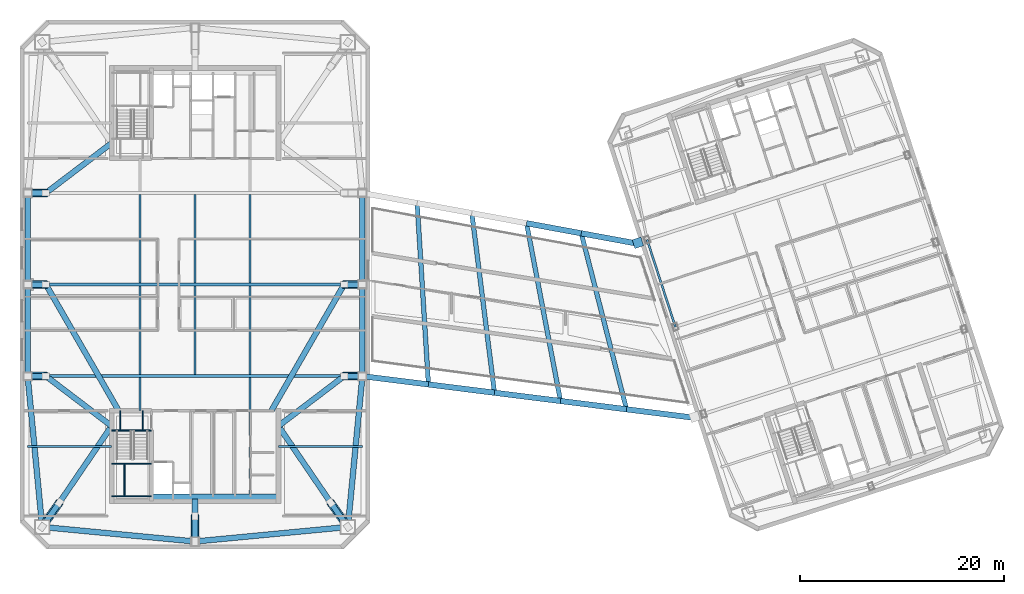
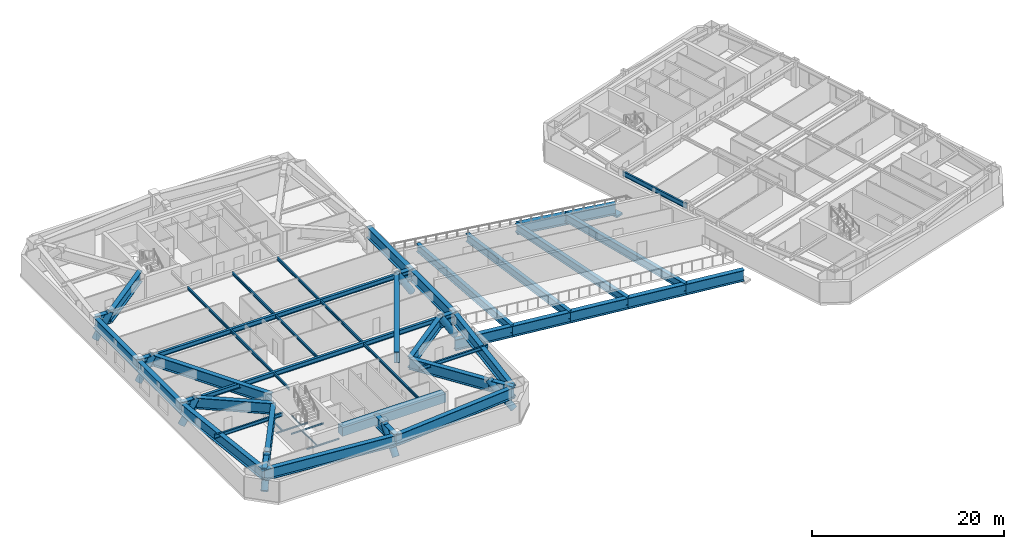
# One storey, part 3 of 18: 55 beams, 9 members.
"""IFC4 building model written with IfcOpenShell, lengths in metres."""

from ifc_helpers import new_model, si_unit, direction, frame, origin, origin_2d, place, context, subcontext, project, spatial, rectangle, hollow_circle, i_section, extrude, material, material_profile, profile_set, type_object, element, save


model = new_model("IFC4")

# Units and contexts
model_context = context("Model", 3, precision=1e-05, world=origin(), true_north=direction((0.0, 1.0)))
body_context = subcontext(model_context, "Body", "Model", "MODEL_VIEW")
ifc_project = project(units=[si_unit("LENGTHUNIT", "METRE"), si_unit("AREAUNIT", "SQUARE_METRE"), si_unit("VOLUMEUNIT", "CUBIC_METRE"), si_unit("PLANEANGLEUNIT", "RADIAN"), si_unit("MASSUNIT", "GRAM", prefix="KILO")], contexts=[model_context])

# Site, building, storey
site_placement = place(None, origin())
site = spatial("IfcSite", under=ifc_project, at=site_placement, CompositionType="ELEMENT")
building_placement = place(site_placement, origin())
building = spatial("IfcBuilding", under=site, at=building_placement, Name="Qiaolan Cultural Towers", CompositionType="ELEMENT")
storey_placement = place(building_placement, frame((0.0, 0.0, 219.64990234375)))
storey = spatial("IfcBuildingStorey", under=building, at=storey_placement, Name="L59", CompositionType="ELEMENT", Elevation=219.64990234375)

# Beams
ifc_material_1 = material(Name="Steel Q390GJB", Category="steel")
ifc_material_profile_1 = material_profile(ifc_material_1, i_section(OverallWidth=0.449951171875, OverallDepth=1.0, WebThickness=0.02392578125, FlangeThickness=0.0400390625, at=origin_2d()), Name="BH1000x450x24x40")
ifc_profile_set_1 = profile_set([ifc_material_profile_1], Name="Steel Q390GJB")
beam_type_1 = type_object("IfcBeamType", Name="BM-BH1000x450x24x40", PredefinedType="BEAM", material=ifc_profile_set_1)
beam_1_placement = place(storey_placement, frame((52.939208984375, 24.185791015625, -0.77978515625), z_axis=(-0.062298281945, 0.998057575527, 0.0), x_axis=(-0.998057575527, -0.062298281945, 0.0)))
element("IfcBeam", 1, at=beam_1_placement, inside=storey, type_object=beam_type_1, Name="L59 Sky Park Transverse Deck Girder 2", PredefinedType="BEAM", context=body_context, shape_type="SweptSolid", body=[
    extrude(i_section(OverallWidth=0.449951171875, OverallDepth=1.0, WebThickness=0.02392578125, FlangeThickness=0.0400390625, at=origin_2d()), origin(), (0.0, 0.0, 1.0), 17.8583984375),
])
beam_2_placement = place(storey_placement, frame((59.42822265625, 23.37158203125, -0.77978515625), z_axis=(-0.125082039773, 0.992146402164, 0.0), x_axis=(-0.992146402164, -0.125082039773, 0.0)))
element("IfcBeam", 2, at=beam_2_placement, inside=storey, type_object=beam_type_1, Name="L59 Sky Park Transverse Deck Girder 3", PredefinedType="BEAM", context=body_context, shape_type="SweptSolid", body=[
    extrude(i_section(OverallWidth=0.449951171875, OverallDepth=1.0, WebThickness=0.02392578125, FlangeThickness=0.0400390625, at=origin_2d()), origin(), (0.0, 0.0, 1.0), 17.787109375),
])
beam_3_placement = place(storey_placement, frame((65.91748046875, 22.557373046875, -0.77978515625), z_axis=(-0.187628005865, 0.982240159745, 0.0), x_axis=(-0.982240159745, -0.187628005865, 0.0)))
element("IfcBeam", 3, at=beam_3_placement, inside=storey, type_object=beam_type_1, Name="L59 Sky Park Transverse Deck Girder 4", PredefinedType="BEAM", context=body_context, shape_type="SweptSolid", body=[
    extrude(i_section(OverallWidth=0.449951171875, OverallDepth=1.0, WebThickness=0.02392578125, FlangeThickness=0.0400390625, at=origin_2d()), origin(), (0.0, 0.0, 1.0), 17.787353515625),
])
beam_4_placement = place(storey_placement, frame((72.406494140625, 21.7431640625, -0.77978515625), z_axis=(-0.249165970578, 0.968460798952, 0.0), x_axis=(-0.968460798952, -0.249165970578, 0.0)))
element("IfcBeam", 4, at=beam_4_placement, inside=storey, type_object=beam_type_1, Name="L59 Sky Park Transverse Deck Girder 5", PredefinedType="BEAM", context=body_context, shape_type="SweptSolid", body=[
    extrude(i_section(OverallWidth=0.449951171875, OverallDepth=1.0, WebThickness=0.02392578125, FlangeThickness=0.0400390625, at=origin_2d()), origin(), (0.0, 0.0, 1.0), 17.8583984375),
])
ifc_material_2 = material(Name="Steel Q420GJB", Category="steel")
ifc_material_profile_2 = material_profile(ifc_material_2, i_section(OverallWidth=0.550048828125, OverallDepth=1.39990234375, WebThickness=0.031982421875, FlangeThickness=0.050048828125, at=origin_2d()), Name="BH1400x550x32x50")
ifc_profile_set_2 = profile_set([ifc_material_profile_2], Name="Steel Q420GJB")
beam_type_2 = type_object("IfcBeamType", Name="BM-BH1400x550x32x50", PredefinedType="BEAM", material=ifc_profile_set_2)
beam_5_placement = place(storey_placement, frame((14.97998046875, 10.179931640625, 2.530029296875), z_axis=(0.577318275883, 0.816519202672, 0.0), x_axis=(-0.816519202672, 0.577318275883, 0.0)))
element("IfcBeam", 5, at=beam_5_placement, inside=storey, type_object=beam_type_2, Name="L59 T1 Setback Transfer Girder MC-SW-A", PredefinedType="BEAM", context=body_context, shape_type="SweptSolid", body=[
    extrude(i_section(OverallWidth=0.550048828125, OverallDepth=1.39990234375, WebThickness=0.031982421875, FlangeThickness=0.050048828125, at=origin_2d()), origin(), (0.0, 0.0, 1.0), 2.92724609375),
])
beam_6_placement = place(storey_placement, frame((16.669921875, 12.570068359375, 2.530029296875), z_axis=(0.563038304074, 0.826430800579, 0.0), x_axis=(-0.826430800579, 0.563038304074, 0.0)))
element("IfcBeam", 6, at=beam_6_placement, inside=storey, type_object=beam_type_2, Name="L59 T1 Setback Transfer Girder MC-SW-B", PredefinedType="BEAM", context=body_context, shape_type="SweptSolid", body=[
    extrude(i_section(OverallWidth=0.550048828125, OverallDepth=1.39990234375, WebThickness=0.031982421875, FlangeThickness=0.050048828125, at=origin_2d()), origin(), (0.0, 0.0, 1.0), 9.111572265625),
])
beam_7_placement = place(storey_placement, frame((45.02001953125, 10.179931640625, 2.530029296875), z_axis=(-0.577318275883, 0.816519202672, 0.0), x_axis=(-0.816519202672, -0.577318275883, 0.0)))
element("IfcBeam", 7, at=beam_7_placement, inside=storey, type_object=beam_type_2, Name="L59 T1 Setback Transfer Girder MC-SE-A", PredefinedType="BEAM", context=body_context, shape_type="SweptSolid", body=[
    extrude(i_section(OverallWidth=0.550048828125, OverallDepth=1.39990234375, WebThickness=0.031982421875, FlangeThickness=0.050048828125, at=origin_2d()), origin(), (0.0, 0.0, 1.0), 2.92724609375),
])
beam_8_placement = place(storey_placement, frame((43.330078125, 12.570068359375, 2.530029296875), z_axis=(-0.563038304074, 0.826430800579, 0.0), x_axis=(-0.826430800579, -0.563038304074, 0.0)))
element("IfcBeam", 8, at=beam_8_placement, inside=storey, type_object=beam_type_2, Name="L59 T1 Setback Transfer Girder MC-SE-B", PredefinedType="BEAM", context=body_context, shape_type="SweptSolid", body=[
    extrude(i_section(OverallWidth=0.550048828125, OverallDepth=1.39990234375, WebThickness=0.031982421875, FlangeThickness=0.050048828125, at=origin_2d()), origin(), (0.0, 0.0, 1.0), 9.111572265625),
])
beam_9_placement = place(storey_placement, frame((13.550048828125, 25.0, 2.530029296875), z_axis=(1.0, 0.0, 0.0), x_axis=(0.0, 1.0, 0.0)))
element("IfcBeam", 9, at=beam_9_placement, inside=storey, type_object=beam_type_2, Name="L59 T1 Setback Transfer Girder PC-W1-A", PredefinedType="BEAM", context=body_context, shape_type="SweptSolid", body=[
    extrude(i_section(OverallWidth=0.550048828125, OverallDepth=1.39990234375, WebThickness=0.031982421875, FlangeThickness=0.050048828125, at=origin_2d()), origin(), (0.0, 0.0, 1.0), 1.800048828125),
])
beam_10_placement = place(storey_placement, frame((15.35009765625, 25.0, 2.530029296875), z_axis=(0.796284727184, -0.604922005927, 0.0), x_axis=(0.604922005927, 0.796284727184, 0.0)))
element("IfcBeam", 10, at=beam_10_placement, inside=storey, type_object=beam_type_2, Name="L59 T1 Setback Transfer Girder PC-W1-B", PredefinedType="BEAM", context=body_context, shape_type="SweptSolid", body=[
    extrude(i_section(OverallWidth=0.550048828125, OverallDepth=1.39990234375, WebThickness=0.031982421875, FlangeThickness=0.050048828125, at=origin_2d()), origin(), (0.0, 0.0, 1.0), 8.10009765625),
])
beam_11_placement = place(storey_placement, frame((13.550048828125, 34.0, 2.530029296875), z_axis=(1.0, 0.0, 0.0), x_axis=(0.0, 1.0, 0.0)))
element("IfcBeam", 11, at=beam_11_placement, inside=storey, type_object=beam_type_2, Name="L59 T1 Setback Transfer Girder PC-W2-A", PredefinedType="BEAM", context=body_context, shape_type="SweptSolid", body=[
    extrude(i_section(OverallWidth=0.550048828125, OverallDepth=1.39990234375, WebThickness=0.031982421875, FlangeThickness=0.050048828125, at=origin_2d()), origin(), (0.0, 0.0, 1.0), 1.800048828125),
])
beam_12_placement = place(storey_placement, frame((15.35009765625, 34.0, 2.530029296875), z_axis=(0.499518669512, -0.866303121782, 0.0), x_axis=(0.866303121782, 0.499518669512, 0.0)))
element("IfcBeam", 12, at=beam_12_placement, inside=storey, type_object=beam_type_2, Name="L59 T1 Setback Transfer Girder PC-W2-B", PredefinedType="BEAM", context=body_context, shape_type="SweptSolid", body=[
    extrude(i_section(OverallWidth=0.550048828125, OverallDepth=1.39990234375, WebThickness=0.031982421875, FlangeThickness=0.050048828125, at=origin_2d()), origin(), (0.0, 0.0, 1.0), 14.3134765625),
])
beam_13_placement = place(storey_placement, frame((13.550048828125, 43.0, 2.530029296875), z_axis=(1.0, 0.0, 0.0), x_axis=(0.0, 1.0, 0.0)))
element("IfcBeam", 13, at=beam_13_placement, inside=storey, type_object=beam_type_2, Name="L59 T1 Setback Transfer Girder PC-W3-A", PredefinedType="BEAM", context=body_context, shape_type="SweptSolid", body=[
    extrude(i_section(OverallWidth=0.550048828125, OverallDepth=1.39990234375, WebThickness=0.031982421875, FlangeThickness=0.050048828125, at=origin_2d()), origin(), (0.0, 0.0, 1.0), 1.800048828125),
])
beam_14_placement = place(storey_placement, frame((15.35009765625, 43.0, 2.530029296875), z_axis=(0.796284727184, 0.604922005927, 0.0), x_axis=(-0.604922005927, 0.796284727184, 0.0)))
element("IfcBeam", 14, at=beam_14_placement, inside=storey, type_object=beam_type_2, Name="L59 T1 Setback Transfer Girder PC-W3-B", PredefinedType="BEAM", context=body_context, shape_type="SweptSolid", body=[
    extrude(i_section(OverallWidth=0.550048828125, OverallDepth=1.39990234375, WebThickness=0.031982421875, FlangeThickness=0.050048828125, at=origin_2d()), origin(), (0.0, 0.0, 1.0), 8.10009765625),
])
beam_15_placement = place(storey_placement, frame((46.449951171875, 25.0, 2.530029296875), z_axis=(-1.0, 0.0, 0.0), x_axis=(0.0, -1.0, 0.0)))
element("IfcBeam", 15, at=beam_15_placement, inside=storey, type_object=beam_type_2, Name="L59 T1 Setback Transfer Girder PC-E1-A", PredefinedType="BEAM", context=body_context, shape_type="SweptSolid", body=[
    extrude(i_section(OverallWidth=0.550048828125, OverallDepth=1.39990234375, WebThickness=0.031982421875, FlangeThickness=0.050048828125, at=origin_2d()), origin(), (0.0, 0.0, 1.0), 1.800048828125),
])
beam_16_placement = place(storey_placement, frame((44.64990234375, 25.0, 2.530029296875), z_axis=(-0.796284727184, -0.604922005927, 0.0), x_axis=(0.604922005927, -0.796284727184, 0.0)))
element("IfcBeam", 16, at=beam_16_placement, inside=storey, type_object=beam_type_2, Name="L59 T1 Setback Transfer Girder PC-E1-B", PredefinedType="BEAM", context=body_context, shape_type="SweptSolid", body=[
    extrude(i_section(OverallWidth=0.550048828125, OverallDepth=1.39990234375, WebThickness=0.031982421875, FlangeThickness=0.050048828125, at=origin_2d()), origin(), (0.0, 0.0, 1.0), 8.10009765625),
])
beam_17_placement = place(storey_placement, frame((46.449951171875, 34.0, 2.530029296875), z_axis=(-1.0, 0.0, 0.0), x_axis=(0.0, -1.0, 0.0)))
element("IfcBeam", 17, at=beam_17_placement, inside=storey, type_object=beam_type_2, Name="L59 T1 Setback Transfer Girder PC-E2-A", PredefinedType="BEAM", context=body_context, shape_type="SweptSolid", body=[
    extrude(i_section(OverallWidth=0.550048828125, OverallDepth=1.39990234375, WebThickness=0.031982421875, FlangeThickness=0.050048828125, at=origin_2d()), origin(), (0.0, 0.0, 1.0), 1.800048828125),
])
beam_18_placement = place(storey_placement, frame((44.64990234375, 34.0, 2.530029296875), z_axis=(-0.499518669512, -0.866303121782, 0.0), x_axis=(0.866303121782, -0.499518669512, 0.0)))
element("IfcBeam", 18, at=beam_18_placement, inside=storey, type_object=beam_type_2, Name="L59 T1 Setback Transfer Girder PC-E2-B", PredefinedType="BEAM", context=body_context, shape_type="SweptSolid", body=[
    extrude(i_section(OverallWidth=0.550048828125, OverallDepth=1.39990234375, WebThickness=0.031982421875, FlangeThickness=0.050048828125, at=origin_2d()), origin(), (0.0, 0.0, 1.0), 14.3134765625),
])
beam_19_placement = place(storey_placement, frame((30.0, 8.75, 2.530029296875), z_axis=(0.0, 1.0, 0.0), x_axis=(-1.0, 0.0, 0.0)))
element("IfcBeam", 19, at=beam_19_placement, inside=storey, type_object=beam_type_2, Name="L59 T1 Setback Transfer Girder PC-S0-A", PredefinedType="BEAM", context=body_context, shape_type="SweptSolid", body=[
    extrude(i_section(OverallWidth=0.550048828125, OverallDepth=1.39990234375, WebThickness=0.031982421875, FlangeThickness=0.050048828125, at=origin_2d()), origin(), (0.0, 0.0, 1.0), 2.5),
])
beam_20_placement = place(storey_placement, frame((30.0, 11.25, 2.530029296875), z_axis=(0.0, 1.0, 0.0), x_axis=(-1.0, 0.0, 0.0)))
element("IfcBeam", 20, at=beam_20_placement, inside=storey, type_object=beam_type_2, Name="L59 T1 Setback Transfer Girder PC-S0-B", PredefinedType="BEAM", context=body_context, shape_type="SweptSolid", body=[
    extrude(i_section(OverallWidth=0.550048828125, OverallDepth=1.39990234375, WebThickness=0.031982421875, FlangeThickness=0.050048828125, at=origin_2d()), origin(), (0.0, 0.0, 1.0), 1.699951171875),
])
for number, where, z_axis, x_axis, name in (
    (21, (14.97998046875, 10.179931640625, 2.489990234375), (0.995498889995, -0.094773203061, 0.0), (0.094773203061, 0.995498889995, 0.0), "L59 T1 Perimeter Spandrel Beam 1"),
    (22, (30.0, 8.75, 2.489990234375), (0.995498889995, 0.094773203061, 0.0), (-0.094773203061, 0.995498889995, 0.0), "L59 T1 Perimeter Spandrel Beam 2"),
):
    element("IfcBeam", number, at=place(storey_placement, frame(where, z_axis=z_axis, x_axis=x_axis)), inside=storey, type_object=beam_type_2, Name=name, PredefinedType="BEAM", context=body_context, shape_type="SweptSolid", body=[
        extrude(i_section(OverallWidth=0.550048828125, OverallDepth=1.39990234375, WebThickness=0.031982421875, FlangeThickness=0.050048828125, at=origin_2d()), origin(), (0.0, 0.0, 1.0), 15.087890625),
    ])
beam_21_placement = place(storey_placement, frame((45.02001953125, 10.179931640625, 2.489990234375), z_axis=(0.096040159186, 0.995377459974, 0.0), x_axis=(-0.995377459974, 0.096040159186, 0.0)))
element("IfcBeam", 23, at=beam_21_placement, inside=storey, type_object=beam_type_2, Name="L59 T1 Perimeter Spandrel Beam 3", PredefinedType="BEAM", context=body_context, shape_type="SweptSolid", body=[
    extrude(i_section(OverallWidth=0.550048828125, OverallDepth=1.39990234375, WebThickness=0.031982421875, FlangeThickness=0.050048828125, at=origin_2d()), origin(), (0.0, 0.0, 1.0), 14.888916015625),
])
for number, where, z_axis, x_axis, name in (
    (24, (46.449951171875, 25.0, 2.489990234375), (0.0, 1.0, 0.0), (-1.0, 0.0, 0.0), "L59 T1 Perimeter Spandrel Beam 4"),
    (25, (46.449951171875, 34.0, 2.489990234375), (0.0, 1.0, 0.0), (-1.0, 0.0, 0.0), "L59 T1 Perimeter Spandrel Beam 5"),
    (26, (13.550048828125, 43.0, 2.489990234375), (0.0, -1.0, 0.0), (1.0, 0.0, 0.0), "L59 T1 Perimeter Spandrel Beam 10"),
    (27, (13.550048828125, 34.0, 2.489990234375), (0.0, -1.0, 0.0), (1.0, 0.0, 0.0), "L59 T1 Perimeter Spandrel Beam 11"),
):
    element("IfcBeam", number, at=place(storey_placement, frame(where, z_axis=z_axis, x_axis=x_axis)), inside=storey, type_object=beam_type_2, Name=name, PredefinedType="BEAM", context=body_context, shape_type="SweptSolid", body=[
        extrude(i_section(OverallWidth=0.550048828125, OverallDepth=1.39990234375, WebThickness=0.031982421875, FlangeThickness=0.050048828125, at=origin_2d()), origin(), (0.0, 0.0, 1.0), 9.0),
    ])
beam_22_placement = place(storey_placement, frame((13.550048828125, 25.0, 2.489990234375), z_axis=(0.096040159186, -0.995377459974, 0.0), x_axis=(0.995377459974, 0.096040159186, 0.0)))
element("IfcBeam", 28, at=beam_22_placement, inside=storey, type_object=beam_type_2, Name="L59 T1 Perimeter Spandrel Beam 12", PredefinedType="BEAM", context=body_context, shape_type="SweptSolid", body=[
    extrude(i_section(OverallWidth=0.550048828125, OverallDepth=1.39990234375, WebThickness=0.031982421875, FlangeThickness=0.050048828125, at=origin_2d()), origin(), (0.0, 0.0, 1.0), 14.888916015625),
])
beam_23_placement = place(storey_placement, frame((46.449951171875, 25.0, -0.97998046875), z_axis=(0.99222034022, -0.124494162326, 0.0), x_axis=(0.124494162326, 0.99222034022, 0.0)))
element("IfcBeam", 29, at=beam_23_placement, inside=storey, type_object=beam_type_2, Name="Sky Park S Truss Top Chord 1", PredefinedType="BEAM", context=body_context, shape_type="SweptSolid", body=[
    extrude(i_section(OverallWidth=0.550048828125, OverallDepth=1.39990234375, WebThickness=0.031982421875, FlangeThickness=0.050048828125, at=origin_2d()), origin(), (0.0, 0.0, 1.0), 6.5400390625),
])
beam_24_placement = place(storey_placement, frame((52.939208984375, 24.185791015625, -0.97998046875), z_axis=(0.992219761624, -0.124498773657, 0.0), x_axis=(0.124498773657, 0.992219761624, 0.0)))
element("IfcBeam", 30, at=beam_24_placement, inside=storey, type_object=beam_type_2, Name="Sky Park S Truss Top Chord 2", PredefinedType="BEAM", context=body_context, shape_type="SweptSolid", body=[
    extrude(i_section(OverallWidth=0.550048828125, OverallDepth=1.39990234375, WebThickness=0.031982421875, FlangeThickness=0.050048828125, at=origin_2d()), origin(), (0.0, 0.0, 1.0), 6.539794921875),
])
beam_25_placement = place(storey_placement, frame((59.42822265625, 23.37158203125, -0.97998046875), z_axis=(0.99222034022, -0.124494162326, 0.0), x_axis=(0.124494162326, 0.99222034022, 0.0)))
element("IfcBeam", 31, at=beam_25_placement, inside=storey, type_object=beam_type_2, Name="Sky Park S Truss Top Chord 3", PredefinedType="BEAM", context=body_context, shape_type="SweptSolid", body=[
    extrude(i_section(OverallWidth=0.550048828125, OverallDepth=1.39990234375, WebThickness=0.031982421875, FlangeThickness=0.050048828125, at=origin_2d()), origin(), (0.0, 0.0, 1.0), 6.5400390625),
])
beam_26_placement = place(storey_placement, frame((65.91748046875, 22.557373046875, -0.97998046875), z_axis=(0.992219761624, -0.124498773657, 0.0), x_axis=(0.124498773657, 0.992219761624, 0.0)))
element("IfcBeam", 32, at=beam_26_placement, inside=storey, type_object=beam_type_2, Name="Sky Park S Truss Top Chord 4", PredefinedType="BEAM", context=body_context, shape_type="SweptSolid", body=[
    extrude(i_section(OverallWidth=0.550048828125, OverallDepth=1.39990234375, WebThickness=0.031982421875, FlangeThickness=0.050048828125, at=origin_2d()), origin(), (0.0, 0.0, 1.0), 6.539794921875),
])
beam_27_placement = place(storey_placement, frame((72.406494140625, 21.7431640625, -0.97998046875), z_axis=(0.99222034022, -0.124494162326, 0.0), x_axis=(0.124494162326, 0.99222034022, 0.0)))
element("IfcBeam", 33, at=beam_27_placement, inside=storey, type_object=beam_type_2, Name="Sky Park S Truss Top Chord 5", PredefinedType="BEAM", context=body_context, shape_type="SweptSolid", body=[
    extrude(i_section(OverallWidth=0.550048828125, OverallDepth=1.39990234375, WebThickness=0.031982421875, FlangeThickness=0.050048828125, at=origin_2d()), origin(), (0.0, 0.0, 1.0), 6.5400390625),
])
for number, where, z_axis, x_axis, name in (
    (34, (62.580078125, 40.02880859375, -0.97998046875), (0.983452141721, -0.181168112381, 0.0), (0.181168112381, 0.983452141721, 0.0), "Sky Park N Truss Top Chord 4"),
    (35, (67.956787109375, 39.038330078125, -0.97998046875), (0.983452141721, -0.181168112381, 0.0), (0.181168112381, 0.983452141721, 0.0), "Sky Park N Truss Top Chord 5"),
):
    element("IfcBeam", number, at=place(storey_placement, frame(where, z_axis=z_axis, x_axis=x_axis)), inside=storey, type_object=beam_type_2, Name=name, PredefinedType="BEAM", context=body_context, shape_type="SweptSolid", body=[
        extrude(i_section(OverallWidth=0.550048828125, OverallDepth=1.39990234375, WebThickness=0.031982421875, FlangeThickness=0.050048828125, at=origin_2d()), origin(), (0.0, 0.0, 1.0), 5.46728515625),
    ])
ifc_material_3 = material(Name="Steel Q355B", Category="steel")
ifc_material_profile_3 = material_profile(ifc_material_3, i_section(OverallWidth=0.300048828125, OverallDepth=0.587890625, WebThickness=0.011962890625, FlangeThickness=0.02001953125, at=origin_2d()), Name="HM588x300x12x20")
ifc_profile_set_3 = profile_set([ifc_material_profile_3], Name="Steel Q355B")
beam_type_3 = type_object("IfcBeamType", Name="BM-HM588x300x12x20", PredefinedType="BEAM", material=ifc_profile_set_3)
for number, where, z_axis, x_axis, name in (
    (36, (13.550048828125, 25.0, 2.89599609375), (1.0, 0.0, 0.0), (0.0, 1.0, 0.0), "L59 T1 Primary Transverse Girder V1"),
    (37, (13.550048828125, 34.0, 2.89599609375), (1.0, 0.0, 0.0), (0.0, 1.0, 0.0), "L59 T1 Primary Transverse Girder V2"),
):
    element("IfcBeam", number, at=place(storey_placement, frame(where, z_axis=z_axis, x_axis=x_axis)), inside=storey, type_object=beam_type_3, Name=name, PredefinedType="BEAM", context=body_context, shape_type="SweptSolid", body=[
        extrude(i_section(OverallWidth=0.300048828125, OverallDepth=0.587890625, WebThickness=0.011962890625, FlangeThickness=0.02001953125, at=origin_2d()), origin(), (0.0, 0.0, 1.0), 32.89990234375),
    ])
ifc_material_4 = material(Name="Steel Q355B", Category="steel")
ifc_material_profile_4 = material_profile(ifc_material_4, i_section(OverallWidth=0.175048828125, OverallDepth=0.35009765625, WebThickness=0.007080078125, FlangeThickness=0.010986328125, at=origin_2d()), Name="HN350x175x7x11")
ifc_profile_set_4 = profile_set([ifc_material_profile_4], Name="Steel Q355B")
beam_type_4 = type_object("IfcBeamType", Name="BM-JST-HN350x175x7x11", PredefinedType="JOIST", material=ifc_profile_set_4)
beam_28_placement = place(storey_placement, frame((24.60009765625, 21.60009765625, 3.01513671875), z_axis=(0.0, 1.0, 0.0), x_axis=(-1.0, 0.0, 0.0)))
element("IfcBeam", 38, at=beam_28_placement, inside=storey, type_object=beam_type_4, Name="L59 T1 Secondary Floor Joist U1-1", PredefinedType="JOIST", context=body_context, shape_type="SweptSolid", body=[
    extrude(i_section(OverallWidth=0.175048828125, OverallDepth=0.35009765625, WebThickness=0.007080078125, FlangeThickness=0.010986328125, at=origin_2d()), origin(), (0.0, 0.0, 1.0), 3.25),
])
for number, where, z_axis, x_axis, name in (
    (39, (24.60009765625, 25.14990234375, 3.01513671875), (0.0, 1.0, 0.0), (-1.0, 0.0, 0.0), "L59 T1 Secondary Floor Joist U1-2"),
    (40, (24.60009765625, 34.14990234375, 3.01513671875), (0.0, 1.0, 0.0), (-1.0, 0.0, 0.0), "L59 T1 Secondary Floor Joist U1-3"),
    (41, (30.0, 25.14990234375, 3.01513671875), (0.0, 1.0, 0.0), (-1.0, 0.0, 0.0), "L59 T1 Secondary Floor Joist U2-2"),
    (42, (30.0, 34.14990234375, 3.01513671875), (0.0, 1.0, 0.0), (-1.0, 0.0, 0.0), "L59 T1 Secondary Floor Joist U2-3"),
):
    element("IfcBeam", number, at=place(storey_placement, frame(where, z_axis=z_axis, x_axis=x_axis)), inside=storey, type_object=beam_type_4, Name=name, PredefinedType="JOIST", context=body_context, shape_type="SweptSolid", body=[
        extrude(i_section(OverallWidth=0.175048828125, OverallDepth=0.35009765625, WebThickness=0.007080078125, FlangeThickness=0.010986328125, at=origin_2d()), origin(), (0.0, 0.0, 1.0), 8.7001953125),
    ])
beam_29_placement = place(storey_placement, frame((35.39990234375, 13.39990234375, 3.01513671875), z_axis=(0.0, 1.0, 0.0), x_axis=(-1.0, 0.0, 0.0)))
element("IfcBeam", 43, at=beam_29_placement, inside=storey, type_object=beam_type_4, Name="L59 T1 Secondary Floor Joist U3-1", PredefinedType="JOIST", context=body_context, shape_type="SweptSolid", body=[
    extrude(i_section(OverallWidth=0.175048828125, OverallDepth=0.35009765625, WebThickness=0.007080078125, FlangeThickness=0.010986328125, at=origin_2d()), origin(), (0.0, 0.0, 1.0), 11.4501953125),
])
for number, where, z_axis, x_axis, name in (
    (44, (35.39990234375, 25.14990234375, 3.01513671875), (0.0, 1.0, 0.0), (-1.0, 0.0, 0.0), "L59 T1 Secondary Floor Joist U3-2"),
    (45, (35.39990234375, 34.14990234375, 3.01513671875), (0.0, 1.0, 0.0), (-1.0, 0.0, 0.0), "L59 T1 Secondary Floor Joist U3-3"),
):
    element("IfcBeam", number, at=place(storey_placement, frame(where, z_axis=z_axis, x_axis=x_axis)), inside=storey, type_object=beam_type_4, Name=name, PredefinedType="JOIST", context=body_context, shape_type="SweptSolid", body=[
        extrude(i_section(OverallWidth=0.175048828125, OverallDepth=0.35009765625, WebThickness=0.007080078125, FlangeThickness=0.010986328125, at=origin_2d()), origin(), (0.0, 0.0, 1.0), 8.7001953125),
    ])
ifc_material_5 = material(Name="Steel Q355B", Category="steel")
ifc_material_profile_5 = material_profile(ifc_material_5, i_section(OverallWidth=0.199951171875, OverallDepth=0.449951171875, WebThickness=0.009033203125, FlangeThickness=0.013916015625, at=origin_2d()), Name="HN450x200x9x14")
ifc_profile_set_5 = profile_set([ifc_material_profile_5], Name="Steel Q355B")
beam_type_5 = type_object("IfcBeamType", Name="BM-LNT-HN450x200x9x14", PredefinedType="LINTEL", material=ifc_profile_set_5)
for number, where, z_axis, x_axis, name in (
    (46, (21.800048828125, 18.10009765625, 2.965087890625), (-1.0, 0.0, 0.0), (0.0, -1.0, 0.0), "L59 T1 Core Flank Tie Lintel WS"),
    (47, (38.199951171875, 18.10009765625, 2.965087890625), (1.0, 0.0, 0.0), (0.0, 1.0, 0.0), "L59 T1 Core Flank Tie Lintel ES"),
):
    element("IfcBeam", number, at=place(storey_placement, frame(where, z_axis=z_axis, x_axis=x_axis)), inside=storey, type_object=beam_type_5, Name=name, PredefinedType="LINTEL", context=body_context, shape_type="SweptSolid", body=[
        extrude(i_section(OverallWidth=0.199951171875, OverallDepth=0.449951171875, WebThickness=0.009033203125, FlangeThickness=0.013916015625, at=origin_2d()), origin(), (0.0, 0.0, 1.0), 8.25),
    ])
ifc_material_6 = material(Name="Concrete C50", Category="concrete")
ifc_material_profile_6 = material_profile(ifc_material_6, rectangle(XDim=0.89990234375, YDim=1.10009765625, at=origin_2d()), Name="RC900x1100")
ifc_profile_set_6 = profile_set([ifc_material_profile_6], Name="Concrete C50")
beam_type_6 = type_object("IfcBeamType", Name="BM-RC900x1100", PredefinedType="BEAM", material=ifc_profile_set_6)
beam_30_placement = place(storey_placement, frame((25.719970703125, 12.949951171875, 2.64013671875), z_axis=(1.0, 0.0, 0.0), x_axis=(0.0, 1.0, 0.0)))
element("IfcBeam", 48, at=beam_30_placement, inside=storey, type_object=beam_type_6, Name="L59 T1 Core Header Girder S", PredefinedType="BEAM", context=body_context, shape_type="SweptSolid", body=[
    extrude(rectangle(XDim=0.89990234375, YDim=1.10009765625, at=origin_2d()), origin(), (0.0, 0.0, 1.0), 12.47998046875),
])
ifc_material_7 = material(Name="Steel Q355B", Category="steel")
ifc_material_profile_7 = material_profile(ifc_material_7, i_section(OverallWidth=0.199951171875, OverallDepth=0.60009765625, WebThickness=0.010986328125, FlangeThickness=0.01708984375, at=origin_2d()), Name="HN600x200x11x17")
ifc_profile_set_7 = profile_set([ifc_material_profile_7], Name="Steel Q355B")
beam_type_7 = type_object("IfcBeamType", Name="BM-SPD-HN600x200x11x17", PredefinedType="SPANDREL", material=ifc_profile_set_7)
beam_31_placement = place(storey_placement, frame((74.42724609375, 38.4033203125, 2.89013671875), z_axis=(0.309000197986, -0.951061973609, 0.0), x_axis=(0.951061973609, 0.309000197986, 0.0)))
element("IfcBeam", 49, at=beam_31_placement, inside=storey, type_object=beam_type_7, Name="L59 T2 Perimeter Spandrel Beam 10", PredefinedType="SPANDREL", context=body_context, shape_type="SweptSolid", body=[
    extrude(i_section(OverallWidth=0.199951171875, OverallDepth=0.60009765625, WebThickness=0.010986328125, FlangeThickness=0.01708984375, at=origin_2d()), origin(), (0.0, 0.0, 1.0), 9.0),
])
ifc_material_8 = material(Name="Steel Q355B", Category="steel")
ifc_material_profile_8 = material_profile(ifc_material_8, i_section(OverallWidth=0.10009765625, OverallDepth=0.199951171875, WebThickness=0.005615234375, FlangeThickness=0.008056640625, at=origin_2d()), Name="HN200x100x5.5x8")
ifc_profile_set_8 = profile_set([ifc_material_profile_8], Name="Steel Q355B")
beam_type_8 = type_object("IfcBeamType", Name="BM-STTRIM-200", PredefinedType="BEAM", material=ifc_profile_set_8)
beam_32_placement = place(storey_placement, frame((21.800048828125, 19.659912109375, -0.4599609375), z_axis=(1.0, 0.0, 0.0), x_axis=(0.0, 1.0, 0.0)))
element("IfcBeam", 50, at=beam_32_placement, inside=storey, type_object=beam_type_8, Name="L59 ST-W1 Floor Landing Header Beam", PredefinedType="BEAM", context=body_context, shape_type="SweptSolid", body=[
    extrude(i_section(OverallWidth=0.10009765625, OverallDepth=0.199951171875, WebThickness=0.005615234375, FlangeThickness=0.008056640625, at=origin_2d()), origin(), (0.0, 0.0, 1.0), 3.919921875),
])
for number, where, z_axis, x_axis, name in (
    (51, (22.64990234375, 21.60009765625, -0.4599609375), (0.0, -1.0, 0.0), (1.0, 0.0, 0.0), "L59 ST-W1 Floor Landing Stringer 1"),
    (52, (24.85009765625, 21.60009765625, -0.4599609375), (0.0, -1.0, 0.0), (1.0, 0.0, 0.0), "L59 ST-W1 Floor Landing Stringer 2"),
):
    element("IfcBeam", number, at=place(storey_placement, frame(where, z_axis=z_axis, x_axis=x_axis)), inside=storey, type_object=beam_type_8, Name=name, PredefinedType="BEAM", context=body_context, shape_type="SweptSolid", body=[
        extrude(i_section(OverallWidth=0.10009765625, OverallDepth=0.199951171875, WebThickness=0.005615234375, FlangeThickness=0.008056640625, at=origin_2d()), origin(), (0.0, 0.0, 1.0), 1.940185546875),
    ])
for number, where, z_axis, x_axis, name in (
    (53, (21.800048828125, 16.411376953125, 1.425048828125), (1.0, 0.0, 0.0), (0.0, 1.0, 0.0), "L59 ST-W1 Stair Landing Support Beam 1-1"),
    (54, (21.800048828125, 13.179931640625, 1.425048828125), (1.0, 0.0, 0.0), (0.0, 1.0, 0.0), "L59 ST-W1 Stair Landing Support Beam 1-2"),
):
    element("IfcBeam", number, at=place(storey_placement, frame(where, z_axis=z_axis, x_axis=x_axis)), inside=storey, type_object=beam_type_8, Name=name, PredefinedType="BEAM", context=body_context, shape_type="SweptSolid", body=[
        extrude(i_section(OverallWidth=0.10009765625, OverallDepth=0.199951171875, WebThickness=0.005615234375, FlangeThickness=0.008056640625, at=origin_2d()), origin(), (0.0, 0.0, 1.0), 3.919921875),
    ])
beam_33_placement = place(storey_placement, frame((23.070068359375, 16.411376953125, 1.425048828125), z_axis=(0.0, -1.0, 0.0), x_axis=(1.0, 0.0, 0.0)))
element("IfcBeam", 55, at=beam_33_placement, inside=storey, type_object=beam_type_8, Name="L59 ST-W1 Stair Landing Trimmer 1", PredefinedType="BEAM", context=body_context, shape_type="SweptSolid", body=[
    extrude(i_section(OverallWidth=0.10009765625, OverallDepth=0.199951171875, WebThickness=0.005615234375, FlangeThickness=0.008056640625, at=origin_2d()), origin(), (0.0, 0.0, 1.0), 3.2314453125),
])

# Members
ifc_material_9 = material(Name="Steel Q355B", Category="steel")
ifc_material_profile_9 = material_profile(ifc_material_9, rectangle(XDim=0.89990234375, YDim=0.25, at=origin_2d()), Name="SPH-BRG-900x900")
ifc_profile_set_9 = profile_set([ifc_material_profile_9], Name="Steel Q355B")
member_type_1 = type_object("IfcMemberType", Name="BRG-SLIDE-SPH", PredefinedType="USERDEFINED", material=ifc_profile_set_9)
member_1_placement = place(storey_placement, frame((73.95166015625, 38.248779296875, -1.804931640625), z_axis=(-0.951069945308, -0.308975661068, 0.0), x_axis=(0.308975661068, -0.951069945308, 0.0)))
element("IfcMember", 56, at=member_1_placement, inside=storey, type_object=member_type_1, Name="Sky Park Upper Chord Sliding Bearing BRG-SL1-UN", ObjectType="BEARING", PredefinedType="USERDEFINED", context=body_context, shape_type="SweptSolid", body=[
    extrude(rectangle(XDim=0.89990234375, YDim=0.25, at=origin_2d()), origin(), (0.0, 0.0, 1.0), 0.89990234375),
])
ifc_material_10 = material(Name="Steel Q390GJB", Category="steel")
ifc_material_profile_10 = material_profile(ifc_material_10, hollow_circle(Radius=0.39990234375, WallThickness=0.0400390625, at=origin_2d()), Name="CHS800x40")
ifc_profile_set_10 = profile_set([ifc_material_profile_10], Name="Steel Q390GJB")
member_type_2 = type_object("IfcMemberType", Name="MBR-BRC-CHS800x40", PredefinedType="BRACE", material=ifc_profile_set_10)
for number, where, z_axis, x_axis, name in (
    (57, (14.97998046875, 10.179931640625, 0.300048828125), (0.408037090451, 0.577099554393, 0.707433273981), (-0.816519202672, 0.577318275883, 0.0), "L59 T1 Setback Transfer Raker Strut MC-SW"),
    (58, (45.02001953125, 10.179931640625, 0.300048828125), (-0.408037090451, 0.577099554393, 0.707433273981), (-0.816519202672, -0.577318275883, 0.0), "L59 T1 Setback Transfer Raker Strut MC-SE"),
):
    element("IfcMember", number, at=place(storey_placement, frame(where, z_axis=z_axis, x_axis=x_axis)), inside=storey, type_object=member_type_2, Name=name, PredefinedType="BRACE", context=body_context, shape_type="SweptSolid", body=[
        extrude(hollow_circle(Radius=0.39990234375, WallThickness=0.0400390625, at=origin_2d()), origin(), (0.0, 0.0, 1.0), 4.1416015625),
    ])
for number, where, z_axis, x_axis, name in (
    (59, (13.550048828125, 25.0, 0.300048828125), (0.523467442692, 0.0, 0.852045677438), (0.0, 1.0, 0.0), "L59 T1 Setback Transfer Raker Strut PC-W1"),
    (60, (13.550048828125, 34.0, 0.300048828125), (0.523467442692, 0.0, 0.852045677438), (0.0, 1.0, 0.0), "L59 T1 Setback Transfer Raker Strut PC-W2"),
    (61, (13.550048828125, 43.0, 0.300048828125), (0.523467442692, 0.0, 0.852045677438), (0.0, 1.0, 0.0), "L59 T1 Setback Transfer Raker Strut PC-W3"),
    (62, (46.449951171875, 25.0, 0.300048828125), (-0.523467442692, 0.0, 0.852045677438), (0.0, -1.0, 0.0), "L59 T1 Setback Transfer Raker Strut PC-E1"),
    (63, (46.449951171875, 34.0, 0.300048828125), (-0.523467442692, 0.0, 0.852045677438), (0.0, -1.0, 0.0), "L59 T1 Setback Transfer Raker Strut PC-E2"),
):
    element("IfcMember", number, at=place(storey_placement, frame(where, z_axis=z_axis, x_axis=x_axis)), inside=storey, type_object=member_type_2, Name=name, PredefinedType="BRACE", context=body_context, shape_type="SweptSolid", body=[
        extrude(hollow_circle(Radius=0.39990234375, WallThickness=0.0400390625, at=origin_2d()), origin(), (0.0, 0.0, 1.0), 3.438720703125),
    ])
member_2_placement = place(storey_placement, frame((30.0, 8.75, 0.300048828125), z_axis=(0.0, 0.6490879709, 0.760713353395), x_axis=(-1.0, 0.0, 0.0)))
element("IfcMember", 64, at=member_2_placement, inside=storey, type_object=member_type_2, Name="L59 T1 Setback Transfer Raker Strut PC-S0", PredefinedType="BRACE", context=body_context, shape_type="SweptSolid", body=[
    extrude(hollow_circle(Radius=0.39990234375, WallThickness=0.0400390625, at=origin_2d()), origin(), (0.0, 0.0, 1.0), 3.8515625),
])

save(model, "model.ifc")
